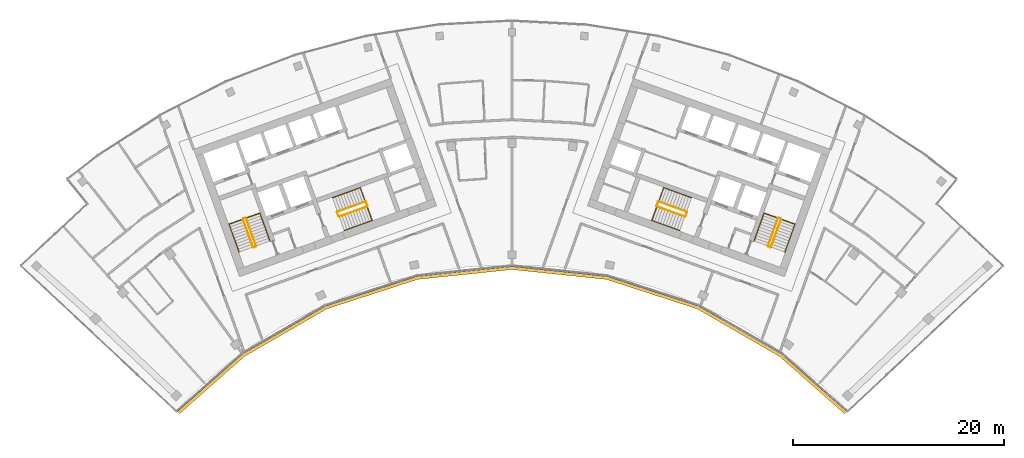
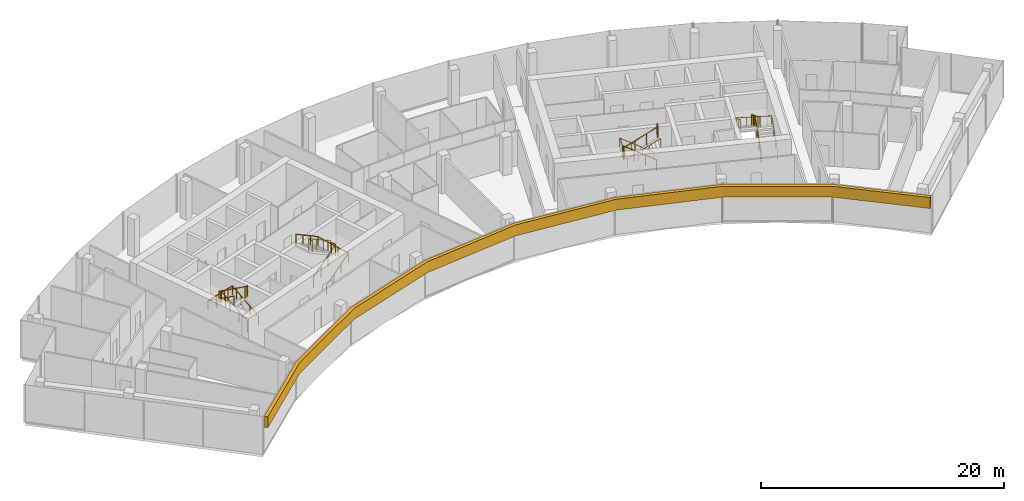
# One storey, part 18 of 18: 12 railings, 1 covering.
"""IFC4 building model written with IfcOpenShell, lengths in metres."""

from ifc_helpers import new_model, si_unit, direction, frame, origin, origin_2d, place, context, subcontext, project, spatial, polyline, circle, outline, extrude, material, layer, layer_set, type_object, element, save


model = new_model("IFC4")

# Units and contexts
model_context = context("Model", 3, precision=1e-05, world=origin(), true_north=direction((0.0, 1.0)))
body_context = subcontext(model_context, "Body", "Model", "MODEL_VIEW")
ifc_project = project(units=[si_unit("LENGTHUNIT", "METRE"), si_unit("AREAUNIT", "SQUARE_METRE"), si_unit("VOLUMEUNIT", "CUBIC_METRE"), si_unit("PLANEANGLEUNIT", "RADIAN"), si_unit("MASSUNIT", "GRAM", prefix="KILO")], contexts=[model_context])

# Site, building, storey
site_placement = place(None, origin())
site = spatial("IfcSite", under=ifc_project, at=site_placement, CompositionType="ELEMENT")
building_placement = place(site_placement, origin())
building = spatial("IfcBuilding", under=site, at=building_placement, Name="Stone Belt Terrace Tower", CompositionType="ELEMENT")
storey_placement = place(building_placement, frame((0.0, 0.0, 288.39990234375)))
storey = spatial("IfcBuildingStorey", under=building, at=storey_placement, Name="L70", CompositionType="ELEMENT", Elevation=288.39990234375)

# Railings
ifc_material_1 = material(Name="Structural steel C345", Category="steel")
railing_type_1 = type_object("IfcRailingType", Name="Stair guard 1100", PredefinedType="GUARDRAIL", material=ifc_material_1)
railing_1_placement = place(storey_placement, frame((-24.2119140625, 45.276123046875, 0.1728515625)))
element("IfcRailing", 1, at=railing_1_placement, inside=storey, type_object=railing_type_1, Name="L70 ST1A stair guard 1", PredefinedType="GUARDRAIL", context=body_context, shape_type="SweptSolid", body=[
    extrude(circle(Radius=0.02392578125, at=origin_2d()), frame((0.0, 0.0, 1.076171875), z_axis=(-0.288228637646, 0.800791768495, 0.525030280985), x_axis=(-0.940908529223, -0.338660803216, 0.0)), (0.0, 0.0, 1.0), 3.289794921875),
    extrude(circle(Radius=0.02392578125, at=origin_2d()), frame((-0.9482421875, 2.634521484375, 2.80322265625), z_axis=(-0.905209821074, 0.424964916, 0.0), x_axis=(-0.424964916, -0.905209821074, 0.0)), (0.0, 0.0, 1.0), 0.070556640625),
    extrude(circle(Radius=0.02392578125, at=origin_2d()), frame((-1.01220703125, 2.66455078125, 2.80322265625), z_axis=(-0.941105063269, -0.338114270461, 0.0), x_axis=(0.338114270461, -0.941105063269, 0.0)), (0.0, 0.0, 1.0), 0.199951171875),
    extrude(circle(Radius=0.02099609375, at=origin_2d()), origin(), (0.0, 0.0, 1.0), 1.052001953125),
    extrude(circle(Radius=0.02099609375, at=origin_2d()), frame((-0.316162109375, 0.878173828125, 0.57568359375)), (0.0, 0.0, 1.0), 1.052001953125),
    extrude(circle(Radius=0.02099609375, at=origin_2d()), frame((-0.632080078125, 1.75634765625, 1.151611328125)), (0.0, 0.0, 1.0), 1.052001953125),
    extrude(circle(Radius=0.02099609375, at=origin_2d()), frame((-0.9482421875, 2.634521484375, 1.727294921875)), (0.0, 0.0, 1.0), 1.052001953125),
    extrude(circle(Radius=0.02099609375, at=origin_2d()), frame((-1.01220703125, 2.66455078125, 1.727294921875)), (0.0, 0.0, 1.0), 1.052001953125),
    extrude(circle(Radius=0.02099609375, at=origin_2d()), frame((-1.200439453125, 2.596923828125, 1.727294921875)), (0.0, 0.0, 1.0), 1.052001953125),
])
railing_2_placement = place(storey_placement, frame((-25.4423828125, 47.80908203125, 2.07275390625)))
element("IfcRailing", 2, at=railing_2_placement, inside=storey, type_object=railing_type_1, Name="L70 ST1A stair guard 2", PredefinedType="GUARDRAIL", context=body_context, shape_type="SweptSolid", body=[
    extrude(circle(Radius=0.02392578125, at=origin_2d()), frame((0.0, 0.0, 1.076171875), z_axis=(0.288228637646, -0.800791768495, 0.525030280985), x_axis=(0.940908529223, 0.338660803216, 0.0)), (0.0, 0.0, 1.0), 3.289794921875),
    extrude(circle(Radius=0.02392578125, at=origin_2d()), frame((0.9482421875, -2.634521484375, 2.80322265625), z_axis=(0.903878284585, -0.427789722475, 0.0), x_axis=(0.427789722475, 0.903878284585, 0.0)), (0.0, 0.0, 1.0), 0.07080078125),
    extrude(circle(Radius=0.02392578125, at=origin_2d()), frame((1.01220703125, -2.664794921875, 2.80322265625), z_axis=(0.940575576748, 0.339584429008, 0.0), x_axis=(-0.339584429008, 0.940575576748, 0.0)), (0.0, 0.0, 1.0), 0.199951171875),
    extrude(circle(Radius=0.02099609375, at=origin_2d()), origin(), (0.0, 0.0, 1.0), 1.052001953125),
    extrude(circle(Radius=0.02099609375, at=origin_2d()), frame((0.316162109375, -0.878173828125, 0.57568359375)), (0.0, 0.0, 1.0), 1.052001953125),
    extrude(circle(Radius=0.02099609375, at=origin_2d()), frame((0.632080078125, -1.75634765625, 1.151611328125)), (0.0, 0.0, 1.0), 1.052001953125),
    extrude(circle(Radius=0.02099609375, at=origin_2d()), frame((0.9482421875, -2.634521484375, 1.727294921875)), (0.0, 0.0, 1.0), 1.052001953125),
    extrude(circle(Radius=0.02099609375, at=origin_2d()), frame((1.01220703125, -2.664794921875, 1.727294921875)), (0.0, 0.0, 1.0), 1.052001953125),
    extrude(circle(Radius=0.02099609375, at=origin_2d()), frame((1.2001953125, -2.596923828125, 1.727294921875)), (0.0, 0.0, 1.0), 1.052001953125),
])
railing_3_placement = place(storey_placement, frame((-16.33837890625, 48.056640625, 0.1728515625)))
element("IfcRailing", 3, at=railing_3_placement, inside=storey, type_object=railing_type_1, Name="L70 ST2A stair guard 1", PredefinedType="GUARDRAIL", context=body_context, shape_type="SweptSolid", body=[
    extrude(circle(Radius=0.02392578125, at=origin_2d()), frame((0.0, 0.0, 1.076171875), z_axis=(0.800808895155, 0.288160591223, 0.52504150989), x_axis=(-0.338583606334, 0.940936311087, 0.0)), (0.0, 0.0, 1.0), 3.289794921875),
    extrude(circle(Radius=0.02392578125, at=origin_2d()), frame((2.634521484375, 0.947998046875, 2.80322265625), z_axis=(0.427789722475, 0.903878284585, 0.0), x_axis=(-0.903878284585, 0.427789722475, 0.0)), (0.0, 0.0, 1.0), 0.07080078125),
    extrude(circle(Radius=0.02392578125, at=origin_2d()), frame((2.664794921875, 1.011962890625, 2.80322265625), z_axis=(-0.338654645739, 0.940910745459, 0.0), x_axis=(-0.940910745459, -0.338654645739, 0.0)), (0.0, 0.0, 1.0), 0.400146484375),
    extrude(circle(Radius=0.02099609375, at=origin_2d()), origin(), (0.0, 0.0, 1.0), 1.052001953125),
    extrude(circle(Radius=0.02099609375, at=origin_2d()), frame((0.878173828125, 0.31591796875, 0.57568359375)), (0.0, 0.0, 1.0), 1.052001953125),
    extrude(circle(Radius=0.02099609375, at=origin_2d()), frame((1.75634765625, 0.632080078125, 1.151611328125)), (0.0, 0.0, 1.0), 1.052001953125),
    extrude(circle(Radius=0.02099609375, at=origin_2d()), frame((2.634521484375, 0.947998046875, 1.727294921875)), (0.0, 0.0, 1.0), 1.052001953125),
    extrude(circle(Radius=0.02099609375, at=origin_2d()), frame((2.664794921875, 1.011962890625, 1.727294921875)), (0.0, 0.0, 1.0), 1.052001953125),
    extrude(circle(Radius=0.02099609375, at=origin_2d()), frame((2.529296875, 1.388427734375, 1.727294921875)), (0.0, 0.0, 1.0), 1.052001953125),
])
railing_4_placement = place(storey_placement, frame((-13.873046875, 49.47509765625, 2.07275390625)))
element("IfcRailing", 4, at=railing_4_placement, inside=storey, type_object=railing_type_1, Name="L70 ST2A stair guard 2", PredefinedType="GUARDRAIL", context=body_context, shape_type="SweptSolid", body=[
    extrude(circle(Radius=0.02392578125, at=origin_2d()), frame((0.0, 0.0, 1.076171875), z_axis=(-0.800808895155, -0.288160591223, 0.52504150989), x_axis=(0.338583606334, -0.940936311087, 0.0)), (0.0, 0.0, 1.0), 3.289794921875),
    extrude(circle(Radius=0.02392578125, at=origin_2d()), frame((-2.634521484375, -0.947998046875, 2.80322265625), z_axis=(-0.427789722475, -0.903878284585, 0.0), x_axis=(0.903878284585, -0.427789722475, 0.0)), (0.0, 0.0, 1.0), 0.07080078125),
    extrude(circle(Radius=0.02392578125, at=origin_2d()), frame((-2.664794921875, -1.011962890625, 2.80322265625), z_axis=(0.338654645739, -0.940910745459, 0.0), x_axis=(0.940910745459, 0.338654645739, 0.0)), (0.0, 0.0, 1.0), 0.400146484375),
    extrude(circle(Radius=0.02099609375, at=origin_2d()), origin(), (0.0, 0.0, 1.0), 1.052001953125),
    extrude(circle(Radius=0.02099609375, at=origin_2d()), frame((-0.878173828125, -0.31591796875, 0.57568359375)), (0.0, 0.0, 1.0), 1.052001953125),
    extrude(circle(Radius=0.02099609375, at=origin_2d()), frame((-1.75634765625, -0.632080078125, 1.151611328125)), (0.0, 0.0, 1.0), 1.052001953125),
    extrude(circle(Radius=0.02099609375, at=origin_2d()), frame((-2.634521484375, -0.947998046875, 1.727294921875)), (0.0, 0.0, 1.0), 1.052001953125),
    extrude(circle(Radius=0.02099609375, at=origin_2d()), frame((-2.664794921875, -1.011962890625, 1.727294921875)), (0.0, 0.0, 1.0), 1.052001953125),
    extrude(circle(Radius=0.02099609375, at=origin_2d()), frame((-2.529296875, -1.388427734375, 1.727294921875)), (0.0, 0.0, 1.0), 1.052001953125),
])
railing_5_placement = place(storey_placement, frame((24.494140625, 45.174560546875, 0.1728515625)))
element("IfcRailing", 5, at=railing_5_placement, inside=storey, type_object=railing_type_1, Name="L70 ST1B stair guard 1", PredefinedType="GUARDRAIL", context=body_context, shape_type="SweptSolid", body=[
    extrude(circle(Radius=0.02392578125, at=origin_2d()), frame((0.0, 0.0, 1.076171875), z_axis=(0.288228637646, 0.800791768495, 0.525030280985), x_axis=(-0.940908529223, 0.338660803216, 0.0)), (0.0, 0.0, 1.0), 3.289794921875),
    extrude(circle(Radius=0.02392578125, at=origin_2d()), frame((0.9482421875, 2.634521484375, 2.80322265625), z_axis=(-0.424964916, 0.905209821074, 0.0), x_axis=(-0.905209821074, -0.424964916, 0.0)), (0.0, 0.0, 1.0), 0.070556640625),
    extrude(circle(Radius=0.02392578125, at=origin_2d()), frame((0.918212890625, 2.698486328125, 2.80322265625), z_axis=(-0.941105063269, 0.338114270461, 0.0), x_axis=(-0.338114270461, -0.941105063269, 0.0)), (0.0, 0.0, 1.0), 0.199951171875),
    extrude(circle(Radius=0.02099609375, at=origin_2d()), origin(), (0.0, 0.0, 1.0), 1.052001953125),
    extrude(circle(Radius=0.02099609375, at=origin_2d()), frame((0.316162109375, 0.878173828125, 0.57568359375)), (0.0, 0.0, 1.0), 1.052001953125),
    extrude(circle(Radius=0.02099609375, at=origin_2d()), frame((0.632080078125, 1.75634765625, 1.151611328125)), (0.0, 0.0, 1.0), 1.052001953125),
    extrude(circle(Radius=0.02099609375, at=origin_2d()), frame((0.9482421875, 2.634521484375, 1.727294921875)), (0.0, 0.0, 1.0), 1.052001953125),
    extrude(circle(Radius=0.02099609375, at=origin_2d()), frame((0.918212890625, 2.698486328125, 1.727294921875)), (0.0, 0.0, 1.0), 1.052001953125),
    extrude(circle(Radius=0.02099609375, at=origin_2d()), frame((0.72998046875, 2.76611328125, 1.727294921875)), (0.0, 0.0, 1.0), 1.052001953125),
])
railing_6_placement = place(storey_placement, frame((25.16015625, 47.91064453125, 2.07275390625)))
element("IfcRailing", 6, at=railing_6_placement, inside=storey, type_object=railing_type_1, Name="L70 ST1B stair guard 2", PredefinedType="GUARDRAIL", context=body_context, shape_type="SweptSolid", body=[
    extrude(circle(Radius=0.02392578125, at=origin_2d()), frame((0.0, 0.0, 1.076171875), z_axis=(-0.288228637646, -0.800791768495, 0.525030280985), x_axis=(0.940908529223, -0.338660803216, 0.0)), (0.0, 0.0, 1.0), 3.289794921875),
    extrude(circle(Radius=0.02392578125, at=origin_2d()), frame((-0.9482421875, -2.634521484375, 2.80322265625), z_axis=(0.427789722475, -0.903878284585, 0.0), x_axis=(0.903878284585, 0.427789722475, 0.0)), (0.0, 0.0, 1.0), 0.07080078125),
    extrude(circle(Radius=0.02392578125, at=origin_2d()), frame((-0.91796875, -2.698486328125, 2.80322265625), z_axis=(0.940575576748, -0.339584429008, 0.0), x_axis=(0.339584429008, 0.940575576748, 0.0)), (0.0, 0.0, 1.0), 0.199951171875),
    extrude(circle(Radius=0.02099609375, at=origin_2d()), origin(), (0.0, 0.0, 1.0), 1.052001953125),
    extrude(circle(Radius=0.02099609375, at=origin_2d()), frame((-0.316162109375, -0.878173828125, 0.57568359375)), (0.0, 0.0, 1.0), 1.052001953125),
    extrude(circle(Radius=0.02099609375, at=origin_2d()), frame((-0.632080078125, -1.75634765625, 1.151611328125)), (0.0, 0.0, 1.0), 1.052001953125),
    extrude(circle(Radius=0.02099609375, at=origin_2d()), frame((-0.9482421875, -2.634521484375, 1.727294921875)), (0.0, 0.0, 1.0), 1.052001953125),
    extrude(circle(Radius=0.02099609375, at=origin_2d()), frame((-0.91796875, -2.698486328125, 1.727294921875)), (0.0, 0.0, 1.0), 1.052001953125),
    extrude(circle(Radius=0.02099609375, at=origin_2d()), frame((-0.72998046875, -2.766357421875, 1.727294921875)), (0.0, 0.0, 1.0), 1.052001953125),
])
railing_7_placement = place(storey_placement, frame((16.507568359375, 48.527099609375, 0.1728515625)))
element("IfcRailing", 7, at=railing_7_placement, inside=storey, type_object=railing_type_1, Name="L70 ST2B stair guard 1", PredefinedType="GUARDRAIL", context=body_context, shape_type="SweptSolid", body=[
    extrude(circle(Radius=0.02392578125, at=origin_2d()), frame((0.0, 0.0, 1.076171875), z_axis=(-0.800808895155, 0.288160591223, 0.52504150989), x_axis=(-0.338583606334, -0.940936311087, 0.0)), (0.0, 0.0, 1.0), 3.289794921875),
    extrude(circle(Radius=0.02392578125, at=origin_2d()), frame((-2.634521484375, 0.947998046875, 2.80322265625), z_axis=(-0.905209821074, -0.424964916, 0.0), x_axis=(0.424964916, -0.905209821074, 0.0)), (0.0, 0.0, 1.0), 0.070556640625),
    extrude(circle(Radius=0.02392578125, at=origin_2d()), frame((-2.698486328125, 0.91796875, 2.80322265625), z_axis=(-0.338654645739, -0.940910745459, 0.0), x_axis=(0.940910745459, -0.338654645739, 0.0)), (0.0, 0.0, 1.0), 0.400146484375),
    extrude(circle(Radius=0.02099609375, at=origin_2d()), origin(), (0.0, 0.0, 1.0), 1.052001953125),
    extrude(circle(Radius=0.02099609375, at=origin_2d()), frame((-0.878173828125, 0.31591796875, 0.57568359375)), (0.0, 0.0, 1.0), 1.052001953125),
    extrude(circle(Radius=0.02099609375, at=origin_2d()), frame((-1.75634765625, 0.632080078125, 1.151611328125)), (0.0, 0.0, 1.0), 1.052001953125),
    extrude(circle(Radius=0.02099609375, at=origin_2d()), frame((-2.634521484375, 0.947998046875, 1.727294921875)), (0.0, 0.0, 1.0), 1.052001953125),
    extrude(circle(Radius=0.02099609375, at=origin_2d()), frame((-2.698486328125, 0.91796875, 1.727294921875)), (0.0, 0.0, 1.0), 1.052001953125),
    extrude(circle(Radius=0.02099609375, at=origin_2d()), frame((-2.833984375, 0.54150390625, 1.727294921875)), (0.0, 0.0, 1.0), 1.052001953125),
])
railing_8_placement = place(storey_placement, frame((13.703857421875, 49.004638671875, 2.07275390625)))
element("IfcRailing", 8, at=railing_8_placement, inside=storey, type_object=railing_type_1, Name="L70 ST2B stair guard 2", PredefinedType="GUARDRAIL", context=body_context, shape_type="SweptSolid", body=[
    extrude(circle(Radius=0.02392578125, at=origin_2d()), frame((0.0, 0.0, 1.076171875), z_axis=(0.800808895155, -0.288160591223, 0.52504150989), x_axis=(0.338583606334, 0.940936311087, 0.0)), (0.0, 0.0, 1.0), 3.289794921875),
    extrude(circle(Radius=0.02392578125, at=origin_2d()), frame((2.634521484375, -0.947998046875, 2.80322265625), z_axis=(0.905209821074, 0.424964916, 0.0), x_axis=(-0.424964916, 0.905209821074, 0.0)), (0.0, 0.0, 1.0), 0.070556640625),
    extrude(circle(Radius=0.02392578125, at=origin_2d()), frame((2.698486328125, -0.91796875, 2.80322265625), z_axis=(0.338654645739, 0.940910745459, 0.0), x_axis=(-0.940910745459, 0.338654645739, 0.0)), (0.0, 0.0, 1.0), 0.400146484375),
    extrude(circle(Radius=0.02099609375, at=origin_2d()), origin(), (0.0, 0.0, 1.0), 1.052001953125),
    extrude(circle(Radius=0.02099609375, at=origin_2d()), frame((0.878173828125, -0.31591796875, 0.57568359375)), (0.0, 0.0, 1.0), 1.052001953125),
    extrude(circle(Radius=0.02099609375, at=origin_2d()), frame((1.75634765625, -0.632080078125, 1.151611328125)), (0.0, 0.0, 1.0), 1.052001953125),
    extrude(circle(Radius=0.02099609375, at=origin_2d()), frame((2.634521484375, -0.947998046875, 1.727294921875)), (0.0, 0.0, 1.0), 1.052001953125),
    extrude(circle(Radius=0.02099609375, at=origin_2d()), frame((2.698486328125, -0.91796875, 1.727294921875)), (0.0, 0.0, 1.0), 1.052001953125),
    extrude(circle(Radius=0.02099609375, at=origin_2d()), frame((2.833984375, -0.54150390625, 1.727294921875)), (0.0, 0.0, 1.0), 1.052001953125),
])
railing_type_2 = type_object("IfcRailingType", Name="Stair handrail 900", PredefinedType="HANDRAIL", material=ifc_material_1)
railing_9_placement = place(storey_placement, frame((-22.894775390625, 45.750244140625, 0.1728515625)))
element("IfcRailing", 9, at=railing_9_placement, inside=storey, type_object=railing_type_2, Name="L70 ST1A stair handrail 1", PredefinedType="HANDRAIL", context=body_context, shape_type="SweptSolid", body=[
    extrude(circle(Radius=0.02392578125, at=origin_2d()), frame((0.0, 0.0, 0.8759765625), z_axis=(-0.288160591223, 0.800808895155, 0.52504150989), x_axis=(-0.940936311087, -0.338583606334, 0.0)), (0.0, 0.0, 1.0), 3.289794921875),
    extrude(circle(Radius=0.02392578125, at=origin_2d()), frame((-0.947998046875, 2.634521484375, 2.60302734375), z_axis=(-0.939464517435, -0.338106580597, 0.055591012205), x_axis=(0.338630230244, -0.940919532779, 0.0)), (0.0, 0.0, 1.0), 3.10498046875),
    extrude(circle(Radius=0.02392578125, at=origin_2d()), frame((-3.864990234375, 1.584716796875, 2.77587890625), z_axis=(0.288228637646, -0.800791768495, 0.525030280985), x_axis=(0.940908529223, 0.338660803216, 0.0)), (0.0, 0.0, 1.0), 3.289794921875),
    extrude(circle(Radius=0.02099609375, at=origin_2d()), origin(), (0.0, 0.0, 1.0), 0.851806640625),
    extrude(circle(Radius=0.02099609375, at=origin_2d()), frame((-0.31591796875, 0.878173828125, 0.57568359375)), (0.0, 0.0, 1.0), 0.851806640625),
    extrude(circle(Radius=0.02099609375, at=origin_2d()), frame((-0.632080078125, 1.75634765625, 1.151611328125)), (0.0, 0.0, 1.0), 0.851806640625),
    extrude(circle(Radius=0.02099609375, at=origin_2d()), frame((-0.947998046875, 2.634521484375, 1.727294921875)), (0.0, 0.0, 1.0), 0.851806640625),
    extrude(circle(Radius=0.02099609375, at=origin_2d()), frame((-1.92041015625, 2.28466796875, 1.784912109375)), (0.0, 0.0, 1.0), 0.851806640625),
    extrude(circle(Radius=0.02099609375, at=origin_2d()), frame((-2.892578125, 1.9345703125, 1.84228515625)), (0.0, 0.0, 1.0), 0.851806640625),
    extrude(circle(Radius=0.02099609375, at=origin_2d()), frame((-3.864990234375, 1.584716796875, 1.89990234375)), (0.0, 0.0, 1.0), 0.851806640625),
    extrude(circle(Radius=0.02099609375, at=origin_2d()), frame((-3.548828125, 0.70654296875, 2.4755859375)), (0.0, 0.0, 1.0), 0.851806640625),
    extrude(circle(Radius=0.02099609375, at=origin_2d()), frame((-3.23291015625, -0.171630859375, 3.051513671875)), (0.0, 0.0, 1.0), 0.851806640625),
    extrude(circle(Radius=0.02099609375, at=origin_2d()), frame((-2.916748046875, -1.0498046875, 3.627197265625)), (0.0, 0.0, 1.0), 0.851806640625),
])
railing_10_placement = place(storey_placement, frame((-15.8642578125, 46.7392578125, 0.1728515625)))
element("IfcRailing", 10, at=railing_10_placement, inside=storey, type_object=railing_type_2, Name="L70 ST2A stair handrail 1", PredefinedType="HANDRAIL", context=body_context, shape_type="SweptSolid", body=[
    extrude(circle(Radius=0.02392578125, at=origin_2d()), frame((0.0, 0.0, 0.8759765625), z_axis=(0.800791768495, 0.288228637646, 0.525030280985), x_axis=(-0.338660803216, 0.940908529223, 0.0)), (0.0, 0.0, 1.0), 3.289794921875),
    extrude(circle(Radius=0.02392578125, at=origin_2d()), frame((2.634521484375, 0.9482421875, 2.60302734375), z_axis=(-0.338160254016, 0.939637778147, 0.052234935458), x_axis=(-0.940922302781, -0.338622533404, 0.0)), (0.0, 0.0, 1.0), 3.304443359375),
    extrude(circle(Radius=0.02392578125, at=origin_2d()), frame((1.51708984375, 4.05322265625, 2.77587890625), z_axis=(-0.800791768495, -0.288228637646, 0.525030280985), x_axis=(0.338660803216, -0.940908529223, 0.0)), (0.0, 0.0, 1.0), 3.289794921875),
    extrude(circle(Radius=0.02099609375, at=origin_2d()), origin(), (0.0, 0.0, 1.0), 0.851806640625),
    extrude(circle(Radius=0.02099609375, at=origin_2d()), frame((0.878173828125, 0.316162109375, 0.57568359375)), (0.0, 0.0, 1.0), 0.851806640625),
    extrude(circle(Radius=0.02099609375, at=origin_2d()), frame((1.75634765625, 0.632080078125, 1.151611328125)), (0.0, 0.0, 1.0), 0.851806640625),
    extrude(circle(Radius=0.02099609375, at=origin_2d()), frame((2.634521484375, 0.9482421875, 1.727294921875)), (0.0, 0.0, 1.0), 0.851806640625),
    extrude(circle(Radius=0.02099609375, at=origin_2d()), frame((2.261962890625, 1.983154296875, 1.784912109375)), (0.0, 0.0, 1.0), 0.851806640625),
    extrude(circle(Radius=0.02099609375, at=origin_2d()), frame((1.8896484375, 3.018310546875, 1.84228515625)), (0.0, 0.0, 1.0), 0.851806640625),
    extrude(circle(Radius=0.02099609375, at=origin_2d()), frame((1.51708984375, 4.05322265625, 1.89990234375)), (0.0, 0.0, 1.0), 0.851806640625),
    extrude(circle(Radius=0.02099609375, at=origin_2d()), frame((0.638916015625, 3.737060546875, 2.4755859375)), (0.0, 0.0, 1.0), 0.851806640625),
    extrude(circle(Radius=0.02099609375, at=origin_2d()), frame((-0.2392578125, 3.421142578125, 3.051513671875)), (0.0, 0.0, 1.0), 0.851806640625),
    extrude(circle(Radius=0.02099609375, at=origin_2d()), frame((-1.117431640625, 3.10498046875, 3.627197265625)), (0.0, 0.0, 1.0), 0.851806640625),
])
railing_11_placement = place(storey_placement, frame((25.8115234375, 44.700439453125, 0.1728515625)))
element("IfcRailing", 11, at=railing_11_placement, inside=storey, type_object=railing_type_2, Name="L70 ST1B stair handrail 1", PredefinedType="HANDRAIL", context=body_context, shape_type="SweptSolid", body=[
    extrude(circle(Radius=0.02392578125, at=origin_2d()), frame((0.0, 0.0, 0.8759765625), z_axis=(0.288228637646, 0.800791768495, 0.525030280985), x_axis=(-0.940908529223, 0.338660803216, 0.0)), (0.0, 0.0, 1.0), 3.289794921875),
    extrude(circle(Radius=0.02392578125, at=origin_2d()), frame((0.9482421875, 2.634521484375, 2.60302734375), z_axis=(-0.939464517435, 0.338106580597, 0.055591012205), x_axis=(-0.338630230244, -0.940919532779, 0.0)), (0.0, 0.0, 1.0), 3.10498046875),
    extrude(circle(Radius=0.02392578125, at=origin_2d()), frame((-1.96875, 3.684326171875, 2.77587890625), z_axis=(-0.288160591223, -0.800808895155, 0.52504150989), x_axis=(0.940936311087, -0.338583606334, 0.0)), (0.0, 0.0, 1.0), 3.289794921875),
    extrude(circle(Radius=0.02099609375, at=origin_2d()), origin(), (0.0, 0.0, 1.0), 0.851806640625),
    extrude(circle(Radius=0.02099609375, at=origin_2d()), frame((0.316162109375, 0.878173828125, 0.57568359375)), (0.0, 0.0, 1.0), 0.851806640625),
    extrude(circle(Radius=0.02099609375, at=origin_2d()), frame((0.632080078125, 1.75634765625, 1.151611328125)), (0.0, 0.0, 1.0), 0.851806640625),
    extrude(circle(Radius=0.02099609375, at=origin_2d()), frame((0.9482421875, 2.634521484375, 1.727294921875)), (0.0, 0.0, 1.0), 0.851806640625),
    extrude(circle(Radius=0.02099609375, at=origin_2d()), frame((-0.024169921875, 2.984375, 1.784912109375)), (0.0, 0.0, 1.0), 0.851806640625),
    extrude(circle(Radius=0.02099609375, at=origin_2d()), frame((-0.996337890625, 3.33447265625, 1.84228515625)), (0.0, 0.0, 1.0), 0.851806640625),
    extrude(circle(Radius=0.02099609375, at=origin_2d()), frame((-1.96875, 3.684326171875, 1.89990234375)), (0.0, 0.0, 1.0), 0.851806640625),
    extrude(circle(Radius=0.02099609375, at=origin_2d()), frame((-2.28466796875, 2.80615234375, 2.4755859375)), (0.0, 0.0, 1.0), 0.851806640625),
    extrude(circle(Radius=0.02099609375, at=origin_2d()), frame((-2.600830078125, 1.927978515625, 3.051513671875)), (0.0, 0.0, 1.0), 0.851806640625),
    extrude(circle(Radius=0.02099609375, at=origin_2d()), frame((-2.916748046875, 1.0498046875, 3.627197265625)), (0.0, 0.0, 1.0), 0.851806640625),
])
railing_12_placement = place(storey_placement, frame((16.981689453125, 49.84423828125, 0.1728515625)))
element("IfcRailing", 12, at=railing_12_placement, inside=storey, type_object=railing_type_2, Name="L70 ST2B stair handrail 1", PredefinedType="HANDRAIL", context=body_context, shape_type="SweptSolid", body=[
    extrude(circle(Radius=0.02392578125, at=origin_2d()), frame((0.0, 0.0, 0.8759765625), z_axis=(-0.800791768495, 0.288228637646, 0.525030280985), x_axis=(-0.338660803216, -0.940908529223, 0.0)), (0.0, 0.0, 1.0), 3.289794921875),
    extrude(circle(Radius=0.02392578125, at=origin_2d()), frame((-2.634521484375, 0.9482421875, 2.60302734375), z_axis=(-0.338160254016, -0.939637778147, 0.052234935458), x_axis=(0.940922302781, -0.338622533404, 0.0)), (0.0, 0.0, 1.0), 3.304443359375),
    extrude(circle(Radius=0.02392578125, at=origin_2d()), frame((-3.751953125, -2.15673828125, 2.77587890625), z_axis=(0.800791768495, -0.288228637646, 0.525030280985), x_axis=(0.338660803216, 0.940908529223, 0.0)), (0.0, 0.0, 1.0), 3.289794921875),
    extrude(circle(Radius=0.02099609375, at=origin_2d()), origin(), (0.0, 0.0, 1.0), 0.851806640625),
    extrude(circle(Radius=0.02099609375, at=origin_2d()), frame((-0.878173828125, 0.316162109375, 0.57568359375)), (0.0, 0.0, 1.0), 0.851806640625),
    extrude(circle(Radius=0.02099609375, at=origin_2d()), frame((-1.75634765625, 0.632080078125, 1.151611328125)), (0.0, 0.0, 1.0), 0.851806640625),
    extrude(circle(Radius=0.02099609375, at=origin_2d()), frame((-2.634521484375, 0.9482421875, 1.727294921875)), (0.0, 0.0, 1.0), 0.851806640625),
    extrude(circle(Radius=0.02099609375, at=origin_2d()), frame((-3.007080078125, -0.086669921875, 1.784912109375)), (0.0, 0.0, 1.0), 0.851806640625),
    extrude(circle(Radius=0.02099609375, at=origin_2d()), frame((-3.37939453125, -1.121826171875, 1.84228515625)), (0.0, 0.0, 1.0), 0.851806640625),
    extrude(circle(Radius=0.02099609375, at=origin_2d()), frame((-3.751953125, -2.15673828125, 1.89990234375)), (0.0, 0.0, 1.0), 0.851806640625),
    extrude(circle(Radius=0.02099609375, at=origin_2d()), frame((-2.873779296875, -2.472900390625, 2.4755859375)), (0.0, 0.0, 1.0), 0.851806640625),
    extrude(circle(Radius=0.02099609375, at=origin_2d()), frame((-1.99560546875, -2.788818359375, 3.051513671875)), (0.0, 0.0, 1.0), 0.851806640625),
    extrude(circle(Radius=0.02099609375, at=origin_2d()), frame((-1.117431640625, -3.10498046875, 3.627197265625)), (0.0, 0.0, 1.0), 0.851806640625),
])

# Covering
ifc_material_2 = material(Name="Terracotta coloured glazed ceramic", Category="masonry")
ifc_layer = layer(ifc_material_2, 0.300048828125)
ifc_layer_set = layer_set([ifc_layer], Name="Terracotta spandrel band 300 x 1100")
covering_type = type_object("IfcCoveringType", Name="Terracotta spandrel band 300 x 1100", PredefinedType="CLADDING", material=ifc_layer_set)
covering_placement = place(storey_placement, frame((0.0, 0.0, 2.7001953125)))
element("IfcCovering", 13, at=covering_placement, inside=storey, type_object=covering_type, Name="BAND L70", PredefinedType="CLADDING", context=body_context, shape_type="SweptSolid", body=[
    extrude(outline(polyline([(-31.651611328125, 29.6220703125), (-25.480712890625, 35.06982421875), (-17.631591796875, 39.6015625), (-9.0126953125, 42.40185546875), (0.0, 43.34912109375), (9.0126953125, 42.40185546875), (17.631591796875, 39.6015625), (25.480712890625, 35.06982421875), (31.651611328125, 29.6220703125), (31.453125, 29.39697265625), (25.3046875, 34.824951171875), (17.509033203125, 39.325927734375), (8.9501953125, 42.10693359375), (0.0, 43.047607421875), (-8.9501953125, 42.10693359375), (-17.509033203125, 39.325927734375), (-25.3046875, 34.824951171875), (-31.453125, 29.39697265625), (-31.651611328125, 29.6220703125)])), origin(), (0.0, 0.0, 1.0), 1.099853515625),
])

save(model, "model.ifc")
